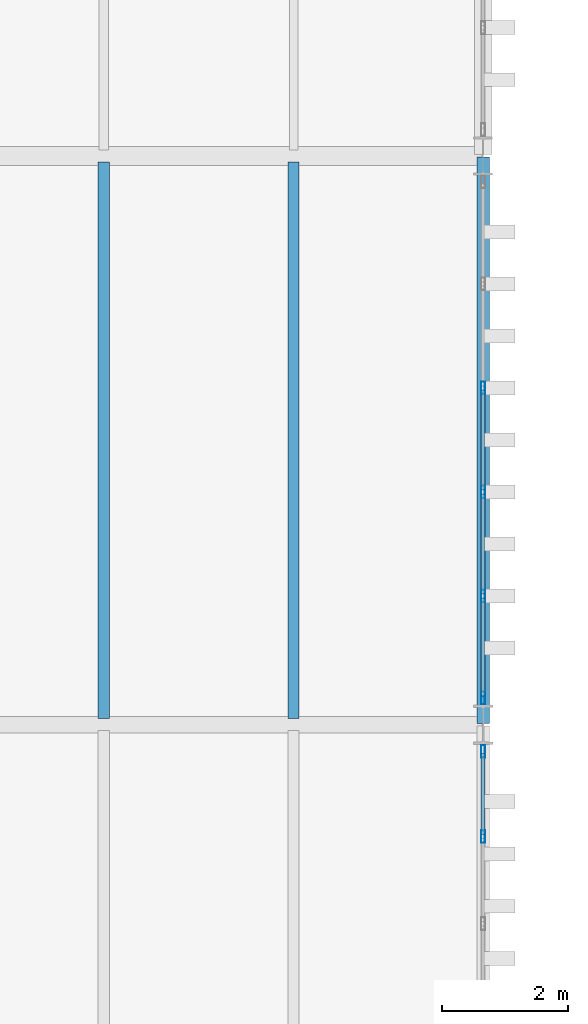
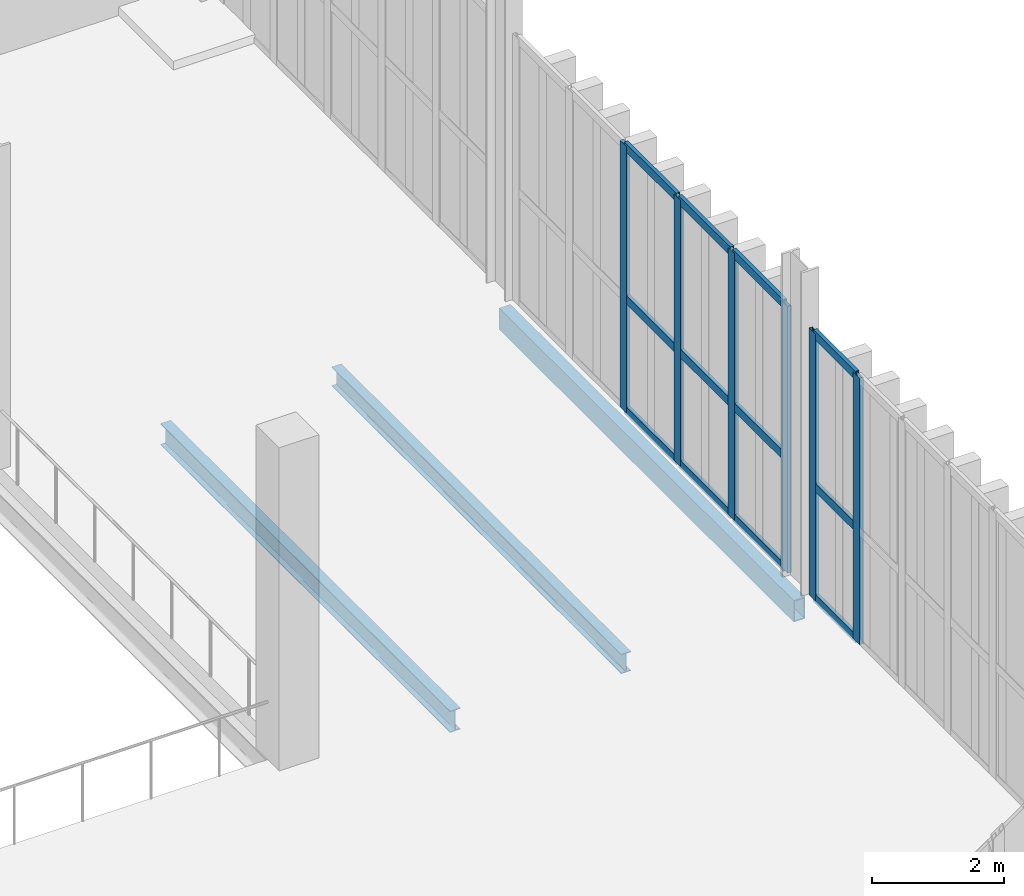
# One storey, part 43 of 211: 18 members, 3 beams, 2 elements without a shape of their own.
"""IFC4 building model written with IfcOpenShell, lengths in metres."""

from ifc_helpers import new_model, si_unit, direction, frame, origin, origin_2d, place, context, subcontext, project, spatial, hollow_rectangle, i_section, extrude, material, layer, layer_set, material_profile, profile_set, type_object, element, aggregate, save


model = new_model("IFC4")

# Units and contexts
model_context = context("Model", 3, precision=1e-05, world=origin(), true_north=direction((0.0, 1.0)))
body_context = subcontext(model_context, "Body", "Model", "MODEL_VIEW")
ifc_project = project(units=[si_unit("LENGTHUNIT", "METRE"), si_unit("AREAUNIT", "SQUARE_METRE"), si_unit("VOLUMEUNIT", "CUBIC_METRE"), si_unit("PLANEANGLEUNIT", "RADIAN"), si_unit("MASSUNIT", "GRAM", prefix="KILO")], contexts=[model_context])

# Site, building, storey
site_placement = place(None, origin())
site = spatial("IfcSite", under=ifc_project, at=site_placement, CompositionType="ELEMENT")
building_placement = place(site_placement, origin())
building = spatial("IfcBuilding", under=site, at=building_placement, Name="Barlavento Convention Centre", CompositionType="ELEMENT")
storey_placement = place(building_placement, frame((0.0, 0.0, 6.0)))
storey = spatial("IfcBuildingStorey", under=building, at=storey_placement, Name="L01", CompositionType="ELEMENT", Elevation=6.0)

# Curtain wall, members
ifc_material_1 = material(Name="Powder-coated aluminium and Low-E glass", Category="aluminium")
ifc_layer = layer(ifc_material_1, 0.18505859375)
ifc_layer_set = layer_set([ifc_layer], Name="ARC-CW-CONG-L01")
curtain_wall_type = type_object("IfcCurtainWallType", Name="ARC-CW-CONG-L01", PredefinedType="NOTDEFINED", material=ifc_layer_set)
curtain_wall_1_placement = place(storey_placement, origin())
curtain_wall_1 = element("IfcCurtainWall", 1, at=curtain_wall_1_placement, inside=storey, type_object=curtain_wall_type, Name="L01 unitised curtain wall CW01", PredefinedType="NOTDEFINED")
ifc_material_2 = material(Name="Powder-coated aluminium", Category="aluminium")
ifc_material_profile_1 = material_profile(ifc_material_2, hollow_rectangle(XDim=0.06494140625, YDim=0.199951171875, WallThickness=0.0048828125, at=origin_2d()), Name="AL-MULL 65x200x5")
ifc_profile_set_1 = profile_set([ifc_material_profile_1], Name="Powder-coated aluminium")
member_type_1 = type_object("IfcMemberType", Name="ARC-CWM-65X200", PredefinedType="MULLION", material=ifc_profile_set_1)
member_1_placement = place(storey_placement, frame((63.0, 16.230712890625, 0.0), z_axis=(0.0, 0.0, 1.0), x_axis=(-1.0, 0.0, 0.0)))
member_1 = element("IfcMember", 2, at=member_1_placement, type_object=member_type_1, Name="CW01 mullion 6", PredefinedType="MULLION", context=body_context, shape_type="SweptSolid", body=[
    extrude(hollow_rectangle(XDim=0.06494140625, YDim=0.199951171875, WallThickness=0.0048828125, at=origin_2d()), origin(), (0.0, 0.0, 1.0), 4.949951171875),
])
member_2_placement = place(storey_placement, frame((63.0, 17.577392578125, 0.0), z_axis=(0.0, 0.0, 1.0), x_axis=(-1.0, 0.0, 0.0)))
member_2 = element("IfcMember", 3, at=member_2_placement, type_object=member_type_1, Name="CW01 mullion 7", PredefinedType="MULLION", context=body_context, shape_type="SweptSolid", body=[
    extrude(hollow_rectangle(XDim=0.06494140625, YDim=0.199951171875, WallThickness=0.0048828125, at=origin_2d()), origin(), (0.0, 0.0, 1.0), 4.949951171875),
])

curtain_wall_2_placement = place(storey_placement, origin())
curtain_wall_2 = element("IfcCurtainWall", 4, at=curtain_wall_2_placement, inside=storey, type_object=curtain_wall_type, Name="L01 unitised curtain wall CW01", PredefinedType="NOTDEFINED")
member_3_placement = place(storey_placement, frame((63.0, 18.422607421875, 0.0), z_axis=(0.0, 0.0, 1.0), x_axis=(-1.0, 0.0, 0.0)))
member_3 = element("IfcMember", 5, at=member_3_placement, type_object=member_type_1, Name="CW01 mullion 1", PredefinedType="MULLION", context=body_context, shape_type="SweptSolid", body=[
    extrude(hollow_rectangle(XDim=0.06494140625, YDim=0.199951171875, WallThickness=0.0048828125, at=origin_2d()), origin(), (0.0, 0.0, 1.0), 4.949951171875),
])
member_4_placement = place(storey_placement, frame((63.0, 20.035888671875, 0.0), z_axis=(0.0, 0.0, 1.0), x_axis=(-1.0, 0.0, 0.0)))
member_4 = element("IfcMember", 6, at=member_4_placement, type_object=member_type_1, Name="CW01 mullion 2", PredefinedType="MULLION", context=body_context, shape_type="SweptSolid", body=[
    extrude(hollow_rectangle(XDim=0.06494140625, YDim=0.199951171875, WallThickness=0.0048828125, at=origin_2d()), origin(), (0.0, 0.0, 1.0), 4.949951171875),
])
member_5_placement = place(storey_placement, frame((63.0, 21.681884765625, 0.0), z_axis=(0.0, 0.0, 1.0), x_axis=(-1.0, 0.0, 0.0)))
member_5 = element("IfcMember", 7, at=member_5_placement, type_object=member_type_1, Name="CW01 mullion 3", PredefinedType="MULLION", context=body_context, shape_type="SweptSolid", body=[
    extrude(hollow_rectangle(XDim=0.06494140625, YDim=0.199951171875, WallThickness=0.0048828125, at=origin_2d()), origin(), (0.0, 0.0, 1.0), 4.949951171875),
])
member_6_placement = place(storey_placement, frame((63.0, 23.327880859375, 0.0), z_axis=(0.0, 0.0, 1.0), x_axis=(-1.0, 0.0, 0.0)))
member_6 = element("IfcMember", 8, at=member_6_placement, type_object=member_type_1, Name="CW01 mullion 4", PredefinedType="MULLION", context=body_context, shape_type="SweptSolid", body=[
    extrude(hollow_rectangle(XDim=0.06494140625, YDim=0.199951171875, WallThickness=0.0048828125, at=origin_2d()), origin(), (0.0, 0.0, 1.0), 4.949951171875),
])

# Member
ifc_material_profile_2 = material_profile(ifc_material_2, hollow_rectangle(XDim=0.06494140625, YDim=0.159912109375, WallThickness=0.0048828125, at=origin_2d()), Name="AL-TRAN 65x160x5")
ifc_profile_set_2 = profile_set([ifc_material_profile_2], Name="Powder-coated aluminium")
member_type_2 = type_object("IfcMemberType", Name="ARC-CWT-65X160", PredefinedType="USERDEFINED", material=ifc_profile_set_2)
member_7_placement = place(storey_placement, frame((63.0, 16.26318359375, 0.032470703125), z_axis=(0.0, 1.0, 0.0), x_axis=(-1.0, 0.0, 0.0)))
member_7 = element("IfcMember", 9, at=member_7_placement, type_object=member_type_2, Name="CW01 transom 6.1", ObjectType="TRANSOM", PredefinedType="USERDEFINED", context=body_context, shape_type="SweptSolid", body=[
    extrude(hollow_rectangle(XDim=0.06494140625, YDim=0.159912109375, WallThickness=0.0048828125, at=origin_2d()), origin(), (0.0, 0.0, 1.0), 1.28173828125),
])

member_8_placement = place(storey_placement, frame((63.0, 16.26318359375, 2.10009765625), z_axis=(0.0, 1.0, 0.0), x_axis=(-1.0, 0.0, 0.0)))
member_8 = element("IfcMember", 10, at=member_8_placement, type_object=member_type_2, Name="CW01 transom 6.2", ObjectType="TRANSOM", PredefinedType="USERDEFINED", context=body_context, shape_type="SweptSolid", body=[
    extrude(hollow_rectangle(XDim=0.06494140625, YDim=0.159912109375, WallThickness=0.0048828125, at=origin_2d()), origin(), (0.0, 0.0, 1.0), 1.28173828125),
])

member_9_placement = place(storey_placement, frame((63.0, 16.26318359375, 4.91748046875), z_axis=(0.0, 1.0, 0.0), x_axis=(-1.0, 0.0, 0.0)))
member_9 = element("IfcMember", 11, at=member_9_placement, type_object=member_type_2, Name="CW01 transom 6.3", ObjectType="TRANSOM", PredefinedType="USERDEFINED", context=body_context, shape_type="SweptSolid", body=[
    extrude(hollow_rectangle(XDim=0.06494140625, YDim=0.159912109375, WallThickness=0.0048828125, at=origin_2d()), origin(), (0.0, 0.0, 1.0), 1.28173828125),
])

aggregate(curtain_wall_1, [member_1, member_2, member_7, member_8, member_9])

member_10_placement = place(storey_placement, frame((63.0, 18.455078125, 0.032470703125), z_axis=(0.0, 1.0, 0.0), x_axis=(-1.0, 0.0, 0.0)))
member_10 = element("IfcMember", 12, at=member_10_placement, type_object=member_type_2, Name="CW01 transom 1.1", ObjectType="TRANSOM", PredefinedType="USERDEFINED", context=body_context, shape_type="SweptSolid", body=[
    extrude(hollow_rectangle(XDim=0.06494140625, YDim=0.159912109375, WallThickness=0.0048828125, at=origin_2d()), origin(), (0.0, 0.0, 1.0), 1.54833984375),
])

member_11_placement = place(storey_placement, frame((63.0, 18.455078125, 2.10009765625), z_axis=(0.0, 1.0, 0.0), x_axis=(-1.0, 0.0, 0.0)))
member_11 = element("IfcMember", 13, at=member_11_placement, type_object=member_type_2, Name="CW01 transom 1.2", ObjectType="TRANSOM", PredefinedType="USERDEFINED", context=body_context, shape_type="SweptSolid", body=[
    extrude(hollow_rectangle(XDim=0.06494140625, YDim=0.159912109375, WallThickness=0.0048828125, at=origin_2d()), origin(), (0.0, 0.0, 1.0), 1.54833984375),
])

member_12_placement = place(storey_placement, frame((63.0, 18.455078125, 4.91748046875), z_axis=(0.0, 1.0, 0.0), x_axis=(-1.0, 0.0, 0.0)))
member_12 = element("IfcMember", 14, at=member_12_placement, type_object=member_type_2, Name="CW01 transom 1.3", ObjectType="TRANSOM", PredefinedType="USERDEFINED", context=body_context, shape_type="SweptSolid", body=[
    extrude(hollow_rectangle(XDim=0.06494140625, YDim=0.159912109375, WallThickness=0.0048828125, at=origin_2d()), origin(), (0.0, 0.0, 1.0), 1.54833984375),
])

member_13_placement = place(storey_placement, frame((63.0, 20.068603515625, 0.032470703125), z_axis=(0.0, 1.0, 0.0), x_axis=(-1.0, 0.0, 0.0)))
member_13 = element("IfcMember", 15, at=member_13_placement, type_object=member_type_2, Name="CW01 transom 2.1", ObjectType="TRANSOM", PredefinedType="USERDEFINED", context=body_context, shape_type="SweptSolid", body=[
    extrude(hollow_rectangle(XDim=0.06494140625, YDim=0.159912109375, WallThickness=0.0048828125, at=origin_2d()), origin(), (0.0, 0.0, 1.0), 1.580810546875),
])

member_14_placement = place(storey_placement, frame((63.0, 20.068603515625, 2.10009765625), z_axis=(0.0, 1.0, 0.0), x_axis=(-1.0, 0.0, 0.0)))
member_14 = element("IfcMember", 16, at=member_14_placement, type_object=member_type_2, Name="CW01 transom 2.2", ObjectType="TRANSOM", PredefinedType="USERDEFINED", context=body_context, shape_type="SweptSolid", body=[
    extrude(hollow_rectangle(XDim=0.06494140625, YDim=0.159912109375, WallThickness=0.0048828125, at=origin_2d()), origin(), (0.0, 0.0, 1.0), 1.580810546875),
])

member_15_placement = place(storey_placement, frame((63.0, 20.068603515625, 4.91748046875), z_axis=(0.0, 1.0, 0.0), x_axis=(-1.0, 0.0, 0.0)))
member_15 = element("IfcMember", 17, at=member_15_placement, type_object=member_type_2, Name="CW01 transom 2.3", ObjectType="TRANSOM", PredefinedType="USERDEFINED", context=body_context, shape_type="SweptSolid", body=[
    extrude(hollow_rectangle(XDim=0.06494140625, YDim=0.159912109375, WallThickness=0.0048828125, at=origin_2d()), origin(), (0.0, 0.0, 1.0), 1.580810546875),
])

member_16_placement = place(storey_placement, frame((63.0, 21.714599609375, 0.032470703125), z_axis=(0.0, 1.0, 0.0), x_axis=(-1.0, 0.0, 0.0)))
member_16 = element("IfcMember", 18, at=member_16_placement, type_object=member_type_2, Name="CW01 transom 3.1", ObjectType="TRANSOM", PredefinedType="USERDEFINED", context=body_context, shape_type="SweptSolid", body=[
    extrude(hollow_rectangle(XDim=0.06494140625, YDim=0.159912109375, WallThickness=0.0048828125, at=origin_2d()), origin(), (0.0, 0.0, 1.0), 1.580810546875),
])

member_17_placement = place(storey_placement, frame((63.0, 21.714599609375, 2.10009765625), z_axis=(0.0, 1.0, 0.0), x_axis=(-1.0, 0.0, 0.0)))
member_17 = element("IfcMember", 19, at=member_17_placement, type_object=member_type_2, Name="CW01 transom 3.2", ObjectType="TRANSOM", PredefinedType="USERDEFINED", context=body_context, shape_type="SweptSolid", body=[
    extrude(hollow_rectangle(XDim=0.06494140625, YDim=0.159912109375, WallThickness=0.0048828125, at=origin_2d()), origin(), (0.0, 0.0, 1.0), 1.580810546875),
])

member_18_placement = place(storey_placement, frame((63.0, 21.714599609375, 4.91748046875), z_axis=(0.0, 1.0, 0.0), x_axis=(-1.0, 0.0, 0.0)))
member_18 = element("IfcMember", 20, at=member_18_placement, type_object=member_type_2, Name="CW01 transom 3.3", ObjectType="TRANSOM", PredefinedType="USERDEFINED", context=body_context, shape_type="SweptSolid", body=[
    extrude(hollow_rectangle(XDim=0.06494140625, YDim=0.159912109375, WallThickness=0.0048828125, at=origin_2d()), origin(), (0.0, 0.0, 1.0), 1.580810546875),
])

aggregate(curtain_wall_2, [member_3, member_4, member_5, member_6, member_10, member_11, member_12, member_13, member_14, member_15, member_16, member_17, member_18])

# Beams
ifc_material_3 = material(Name="Steel S355", Category="steel")
ifc_material_profile_3 = material_profile(ifc_material_3, i_section(OverallWidth=0.169921875, OverallDepth=0.360107421875, WebThickness=0.008056640625, FlangeThickness=0.0126953125, FilletRadius=0.01806640625, at=origin_2d()), Name="IPE 360")
ifc_profile_set_3 = profile_set([ifc_material_profile_3], Name="Steel S355")
beam_type_1 = type_object("IfcBeamType", Name="STR-BM-JST-IPE360", PredefinedType="JOIST", material=ifc_profile_set_3)
beam_1_placement = place(storey_placement, frame((60.0, 18.094970703125, -0.47998046875), z_axis=(0.0, 1.0, 0.0), x_axis=(-1.0, 0.0, 0.0)))
element("IfcBeam", 21, at=beam_1_placement, inside=storey, type_object=beam_type_1, Name="L01 composite floor joist SJ05", PredefinedType="JOIST", context=body_context, shape_type="SweptSolid", body=[
    extrude(i_section(OverallWidth=0.169921875, OverallDepth=0.360107421875, WebThickness=0.008056640625, FlangeThickness=0.0126953125, FilletRadius=0.01806640625, at=origin_2d()), origin(), (0.0, 0.0, 1.0), 8.81005859375),
])
ifc_material_profile_4 = material_profile(ifc_material_3, i_section(OverallWidth=0.179931640625, OverallDepth=0.39990234375, WebThickness=0.008544921875, FlangeThickness=0.013427734375, FilletRadius=0.02099609375, at=origin_2d()), Name="IPE 400")
ifc_profile_set_4 = profile_set([ifc_material_profile_4], Name="Steel S355")
beam_type_2 = type_object("IfcBeamType", Name="STR-BM-JST-IPE400", PredefinedType="JOIST", material=ifc_profile_set_4)
beam_2_placement = place(storey_placement, frame((57.0, 18.094970703125, -0.5), z_axis=(0.0, 1.0, 0.0), x_axis=(-1.0, 0.0, 0.0)))
element("IfcBeam", 22, at=beam_2_placement, inside=storey, type_object=beam_type_2, Name="L01 composite floor joist SJ04", PredefinedType="JOIST", context=body_context, shape_type="SweptSolid", body=[
    extrude(i_section(OverallWidth=0.179931640625, OverallDepth=0.39990234375, WebThickness=0.008544921875, FlangeThickness=0.013427734375, FilletRadius=0.02099609375, at=origin_2d()), origin(), (0.0, 0.0, 1.0), 8.81005859375),
])
ifc_material_profile_5 = material_profile(ifc_material_3, hollow_rectangle(XDim=0.199951171875, YDim=0.39990234375, WallThickness=0.01611328125, at=origin_2d()), Name="RHS 400x200x16.0")
ifc_profile_set_5 = profile_set([ifc_material_profile_5], Name="Steel S355")
beam_type_3 = type_object("IfcBeamType", Name="STR-BM-SPN-RHS400", PredefinedType="SPANDREL", material=ifc_profile_set_5)
beam_3_placement = place(storey_placement, frame((63.0, 18.02001953125, -0.5), z_axis=(0.0, 1.0, 0.0), x_axis=(-1.0, 0.0, 0.0)))
element("IfcBeam", 23, at=beam_3_placement, inside=storey, type_object=beam_type_3, Name="L01 grid girder SP06", PredefinedType="SPANDREL", context=body_context, shape_type="SweptSolid", body=[
    extrude(hollow_rectangle(XDim=0.199951171875, YDim=0.39990234375, WallThickness=0.01611328125, at=origin_2d()), origin(), (0.0, 0.0, 1.0), 8.9599609375),
])

save(model, "model.ifc")
